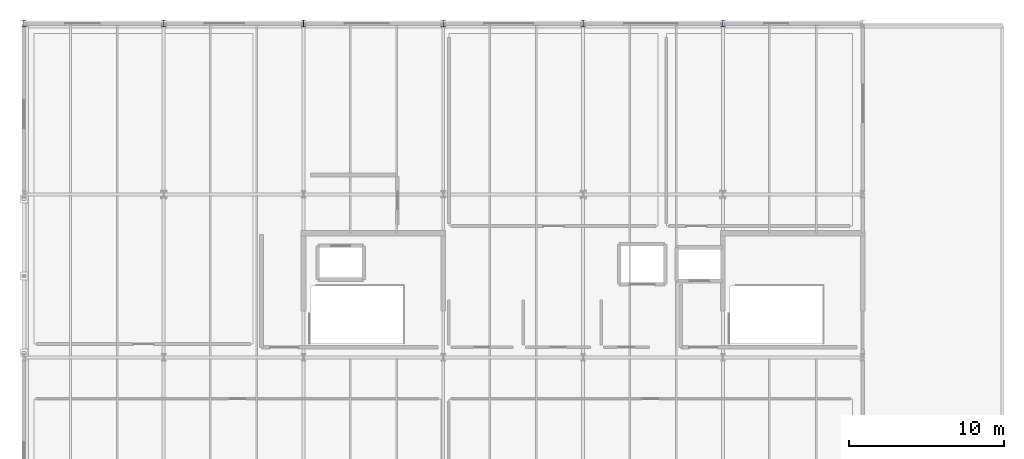
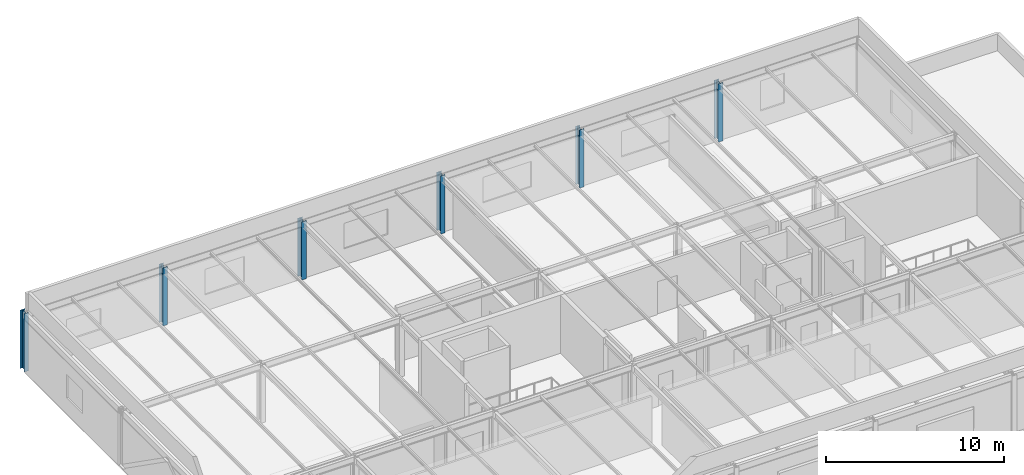
# One storey, part 3 of 14: 6 columns.
"""IFC4 building model written with IfcOpenShell, lengths in metres."""

import ifcopenshell
import ifcopenshell.guid

model = None  # the IFC model being written
_history = None  # IfcOwnerHistory: only IFC2X3 demands one
_inside = {}  # id of a spatial element -> (the spatial element, [elements in it])
_under = {}  # id of a project, library or spatial element -> (it, [spatial elements below it])
_declared = {}  # id of a project -> (the project, [libraries it declares])
_typed = {}  # id of a type object -> (the type object, [elements of that type])
_made_of = {}  # id of a material, layer set ... -> (it, [elements and type objects made of it])


def new_model(schema):
    """Start an empty IFC model of exactly this schema.

    Asked for "IFC4X3", IfcOpenShell would pick the latest addendum, in which some entities
    have other attributes; the version numbers below select the first issue.
    IFC2X3 requires an IfcOwnerHistory on every rooted entity: one is made here for all.
    """
    global model, _history
    if schema == "IFC4X3":
        model = ifcopenshell.file(schema_version=(4, 3, 0, 0))
    else:
        model = ifcopenshell.file(schema=schema)
    _inside.clear()
    _under.clear()
    _declared.clear()
    _typed.clear()
    _made_of.clear()
    _history = None
    if model.schema == "IFC2X3":
        org = make("IfcOrganization", Name="unknown")
        user = make(
            "IfcPersonAndOrganization",
            ThePerson=make("IfcPerson", FamilyName="unknown"),
            TheOrganization=org,
        )
        app = make(
            "IfcApplication",
            ApplicationDeveloper=org,
            Version="unknown",
            ApplicationFullName="unknown",
            ApplicationIdentifier="unknown",
        )
        _history = make(
            "IfcOwnerHistory",
            OwningUser=user,
            OwningApplication=app,
            ChangeAction="ADDED",
            CreationDate=0,
        )
    return model


def make(cls, **values):
    """One entity of the class cls with the attributes given. An attribute that is None is left unset."""
    return model.create_entity(
        cls, **{name: value for name, value in values.items() if value is not None}
    )


def rooted(cls, **values):
    """An entity with a GlobalId (a new one), such as an element, a storey or a relation."""
    return make(cls, GlobalId=ifcopenshell.guid.new(), OwnerHistory=_history, **values)


def si_unit(unit_type, name, prefix=None):
    """IfcSIUnit, for example si_unit("LENGTHUNIT", "METRE", prefix="MILLI")."""
    return make("IfcSIUnit", UnitType=unit_type, Prefix=prefix, Name=name)


def assignment(units):
    """IfcUnitAssignment: the units of a project."""
    return None if units is None else make("IfcUnitAssignment", Units=units)


def point(xyz):
    """IfcCartesianPoint."""
    return None if xyz is None else make("IfcCartesianPoint", Coordinates=xyz)


def direction(xyz):
    """IfcDirection."""
    return None if xyz is None else make("IfcDirection", DirectionRatios=xyz)


def frame(location, z_axis=None, x_axis=None):
    """IfcAxis2Placement3D, a coordinate frame: its origin and axes. An axis left out is left unset."""
    return make(
        "IfcAxis2Placement3D",
        Location=point(location),
        Axis=direction(z_axis),
        RefDirection=direction(x_axis),
    )


def frame_2d(location, x_axis=None):
    """IfcAxis2Placement2D, a coordinate frame in the plane: its origin and x axis."""
    return make(
        "IfcAxis2Placement2D", Location=point(location), RefDirection=direction(x_axis)
    )


def origin():
    """The frame at (0, 0, 0) with its axes left unset."""
    return frame((0.0, 0.0, 0.0))


def origin_2d():
    """The frame at (0, 0) in the plane with its x axis left unset."""
    return frame_2d((0.0, 0.0))


def place(relative_to, where):
    """IfcLocalPlacement: puts the frame where relative to a parent placement (None: the world)."""
    return make(
        "IfcLocalPlacement", PlacementRelTo=relative_to, RelativePlacement=where
    )


def context(
    kind, dimensions, precision=None, world=None, true_north=None, identifier=None
):
    """IfcGeometricRepresentationContext, for example the 3D "Model" context."""
    return make(
        "IfcGeometricRepresentationContext",
        ContextIdentifier=identifier,
        ContextType=kind,
        CoordinateSpaceDimension=dimensions,
        Precision=precision,
        WorldCoordinateSystem=world,
        TrueNorth=true_north,
    )


def subcontext(parent, identifier, kind, view, scale=None):
    """IfcGeometricRepresentationSubContext, for example "Body" below "Model"."""
    return make(
        "IfcGeometricRepresentationSubContext",
        ContextIdentifier=identifier,
        ContextType=kind,
        ParentContext=parent,
        TargetScale=scale,
        TargetView=view,
    )


def project(units=None, contexts=None):
    """IfcProject with its units and contexts."""
    return rooted(
        "IfcProject",
        Name="project",
        RepresentationContexts=contexts,
        UnitsInContext=assignment(units),
    )


def spatial(cls, under=None, at=None, **own):
    """A site, building, storey or space (cls), placed at a placement, below another one or the project."""
    s = rooted(cls, ObjectPlacement=at, **own)
    if under is not None:
        _under.setdefault(under.id(), (under, []))[1].append(s)
    return s


def profile(cls, at=None, kind="AREA", **sizes):
    """A parametric profile (cls). Its sizes go by their IFC names, for example OverallWidth=200.0."""
    return make(cls, ProfileType=kind, Position=at, **sizes)


def i_section(**sizes):
    """IfcIShapeProfileDef."""
    return profile("IfcIShapeProfileDef", **sizes)


def extrude(swept, where, along, depth):
    """IfcExtrudedAreaSolid: the profile swept, set in the frame where, extruded along a direction by depth."""
    return make(
        "IfcExtrudedAreaSolid",
        SweptArea=swept,
        Position=where,
        ExtrudedDirection=direction(along),
        Depth=depth,
    )


def shape(context_of_items, identifier, shape_type, items):
    """IfcShapeRepresentation: the items that make up one representation, for example the "Body"."""
    return make(
        "IfcShapeRepresentation",
        ContextOfItems=context_of_items,
        RepresentationIdentifier=identifier,
        RepresentationType=shape_type,
        Items=items,
    )


def material(Name=None, Category=None):
    """IfcMaterial."""
    return make("IfcMaterial", Name=Name, Category=Category)


def material_profile(
    of_material, cross_section, Name=None, Category=None, Priority=None
):
    """IfcMaterialProfile: a cross section and its material."""
    return make(
        "IfcMaterialProfile",
        Name=Name,
        Material=of_material,
        Profile=cross_section,
        Priority=Priority,
        Category=Category,
    )


def profile_set(profiles, Name=None, composite=None):
    """IfcMaterialProfileSet."""
    return make(
        "IfcMaterialProfileSet",
        Name=Name,
        MaterialProfiles=profiles,
        CompositeProfile=composite,
    )


def made_of(thing, what):
    """Note that an element or type object is made of a material, layer set ...; save() writes the relation."""
    if what is not None:
        _made_of.setdefault(what.id(), (what, []))[1].append(thing)
    return thing


def type_object(cls, material=None, **own):
    """A type object (cls), such as IfcWallType, which elements share."""
    return made_of(rooted(cls, **own), material)


def element(
    cls,
    number,
    at=None,
    inside=None,
    cuts=None,
    type_object=None,
    material=None,
    context=None,
    identifier="Body",
    shape_type=None,
    held_by="IfcProductDefinitionShape",
    body=None,
    shapes=None,
    **own,
):
    """One element of the class cls, such as IfcWall. Its Tag is "e" and its number.

    at: its placement. inside: the storey or other place that contains it. cuts: it is an
    opening in that element (IfcRelVoidsElement). A single representation is given by context,
    identifier, shape_type and body (its items); several are given by shapes. held_by: the class
    of the entity that holds the representations. save() writes the other relations.
    """
    e = rooted(cls, Tag="e%d" % number, ObjectPlacement=at, **own)
    if body is not None:
        shapes = [shape(context, identifier, shape_type, body)]
    if shapes is not None:
        e.Representation = make(held_by, Representations=shapes)
    if inside is not None:
        _inside.setdefault(inside.id(), (inside, []))[1].append(e)
    if cuts is not None:
        rooted(
            "IfcRelVoidsElement", RelatingBuildingElement=cuts, RelatedOpeningElement=e
        )
    if type_object is not None:
        _typed.setdefault(type_object.id(), (type_object, []))[1].append(e)
    return made_of(e, material)


def aggregate(whole, parts):
    """IfcRelAggregates: a whole, such as a stair, and the parts it consists of."""
    return rooted("IfcRelAggregates", RelatingObject=whole, RelatedObjects=parts)


def save(model, path):
    """Write the relations noted so far, then the file.

    IfcRelAggregates (storeys below a building ...), IfcRelContainedInSpatialStructure (elements
    in a storey), IfcRelDefinesByType, IfcRelAssociatesMaterial and IfcRelDeclares: one each for
    every whole, place, type object, material and project.
    """
    for whole, parts in _under.values():
        aggregate(whole, parts)
    for where, things in _inside.values():
        rooted(
            "IfcRelContainedInSpatialStructure",
            RelatedElements=things,
            RelatingStructure=where,
        )
    for kind, things in _typed.values():
        rooted("IfcRelDefinesByType", RelatedObjects=things, RelatingType=kind)
    for what, things in _made_of.values():
        rooted("IfcRelAssociatesMaterial", RelatedObjects=things, RelatingMaterial=what)
    for by, libraries in _declared.values():
        rooted("IfcRelDeclares", RelatingContext=by, RelatedDefinitions=libraries)
    model.write(path)


model = new_model("IFC4")

# Units and contexts
model_context = context("Model", 3, precision=1e-05, world=origin(), true_north=direction((0.0, 1.0)))
body_context = subcontext(model_context, "Body", "Model", "MODEL_VIEW")
ifc_project = project(units=[si_unit("LENGTHUNIT", "METRE"), si_unit("AREAUNIT", "SQUARE_METRE"), si_unit("VOLUMEUNIT", "CUBIC_METRE"), si_unit("PLANEANGLEUNIT", "RADIAN"), si_unit("MASSUNIT", "GRAM", prefix="KILO")], contexts=[model_context])

# Site, building, storey
site_placement = place(None, origin())
site = spatial("IfcSite", under=ifc_project, at=site_placement, CompositionType="ELEMENT")
building_placement = place(site_placement, origin())
building = spatial("IfcBuilding", under=site, at=building_placement, Name="Marlcrest Central Station", CompositionType="ELEMENT")
storey_placement = place(building_placement, frame((0.0, 0.0, 24.0)))
storey = spatial("IfcBuildingStorey", under=building, at=storey_placement, Name="L05", CompositionType="ELEMENT", Elevation=24.0)

# Columns
ifc_material = material(Name="Steel S355", Category="steel")
ifc_material_profile = material_profile(ifc_material, i_section(OverallWidth=0.300048828125, OverallDepth=0.449951171875, WebThickness=0.013916015625, FlangeThickness=0.02587890625, FilletRadius=0.027099609375, at=origin_2d()), Name="HEB 450")
ifc_profile_set = profile_set([ifc_material_profile], Name="Steel S355")
column_type = type_object("IfcColumnType", Name="SC-02", PredefinedType="COLUMN", material=ifc_profile_set)
for number, where, z_axis, x_axis, name in (
    (1, (0.0, 132.0, 0.0), (0.0, 0.0, 1.0), (1.0, 0.0, 0.0), "col-SC-02-L05-0228"),
    (2, (9.0, 132.0, 0.0), (0.0, 0.0, 1.0), (1.0, 0.0, 0.0), "col-SC-02-L05-0232"),
    (3, (18.0, 132.0, 0.0), (0.0, 0.0, 1.0), (1.0, 0.0, 0.0), "col-SC-02-L05-0236"),
    (4, (27.0, 132.0, 0.0), (0.0, 0.0, 1.0), (1.0, 0.0, 0.0), "col-SC-02-L05-0240"),
    (5, (36.0, 132.0, 0.0), (0.0, 0.0, 1.0), (1.0, 0.0, 0.0), "col-SC-02-L05-0244"),
    (6, (45.0, 132.0, 0.0), (0.0, 0.0, 1.0), (1.0, 0.0, 0.0), "col-SC-02-L05-0248"),
):
    element("IfcColumn", number, at=place(storey_placement, frame(where, z_axis=z_axis, x_axis=x_axis)), inside=storey, type_object=column_type, Name=name, PredefinedType="COLUMN", context=body_context, shape_type="SweptSolid", body=[
        extrude(i_section(OverallWidth=0.300048828125, OverallDepth=0.449951171875, WebThickness=0.013916015625, FlangeThickness=0.02587890625, FilletRadius=0.027099609375, at=origin_2d()), origin(), (0.0, 0.0, 1.0), 3.97998046875),
    ])

save(model, "model.ifc")
